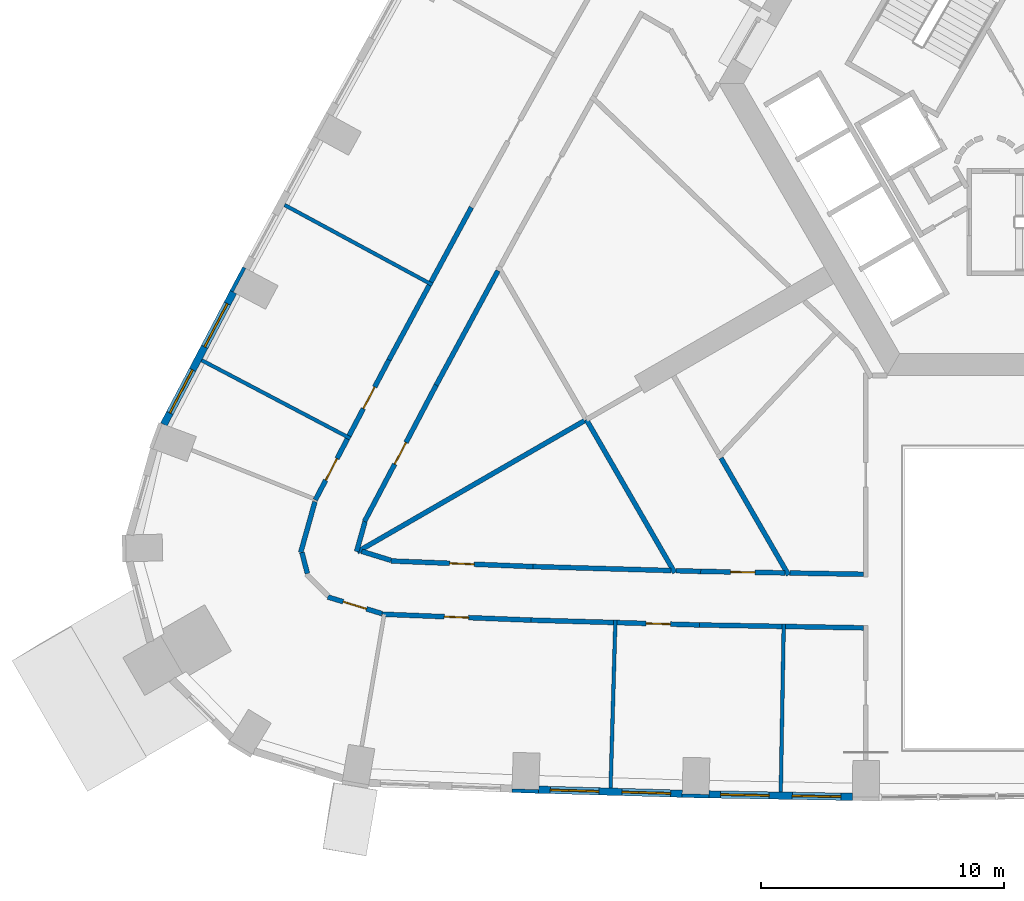
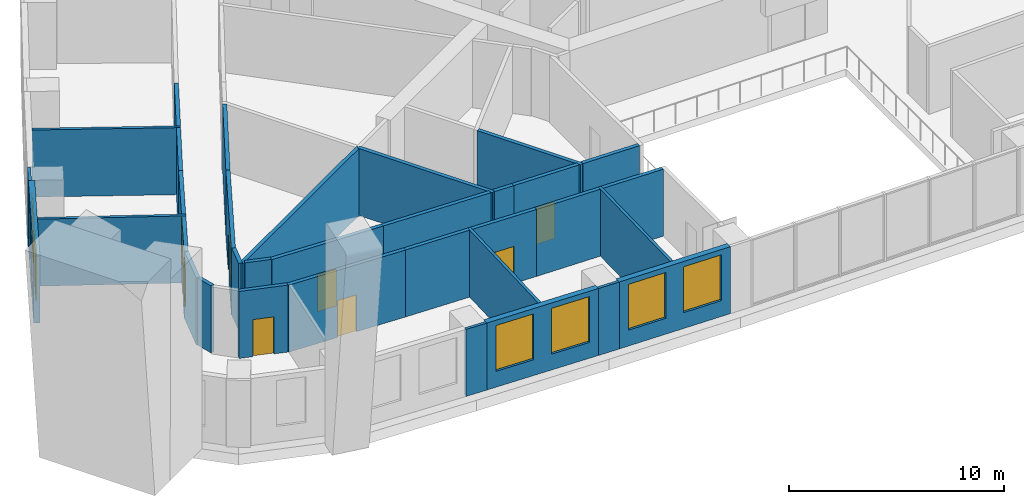
# One storey, part 4 of 15: 34 walls, 8 doors, 6 windows, 14 openings.
"""IFC4 building model written with IfcOpenShell, lengths in metres."""

from ifc_helpers import new_model, si_unit, direction, frame, frame_2d, origin, place, context, subcontext, project, spatial, rectangle, extrude, material, layer, layer_set, type_object, element, fill, save


model = new_model("IFC4")

# Units and contexts
model_context = context("Model", 3, precision=1e-05, world=origin(), true_north=direction((0.0, 1.0)))
body_context = subcontext(model_context, "Body", "Model", "MODEL_VIEW")
ifc_project = project(units=[si_unit("LENGTHUNIT", "METRE"), si_unit("AREAUNIT", "SQUARE_METRE"), si_unit("VOLUMEUNIT", "CUBIC_METRE"), si_unit("PLANEANGLEUNIT", "RADIAN"), si_unit("MASSUNIT", "GRAM", prefix="KILO")], contexts=[model_context])

# Site, building, storey
site_placement = place(None, origin())
site = spatial("IfcSite", under=ifc_project, at=site_placement, CompositionType="ELEMENT")
building_placement = place(site_placement, origin())
building = spatial("IfcBuilding", under=site, at=building_placement, Name="Entoto Arch Interchange Tower", CompositionType="ELEMENT")
storey_placement = place(building_placement, frame((0.0, 0.0, 99.199951171875)))
storey = spatial("IfcBuildingStorey", under=building, at=storey_placement, Name="L21", CompositionType="ELEMENT", Elevation=99.199951171875)

# Walls
ifc_material_1 = material(Name="Gypsum board partition on steel studs", Category="steel")
ifc_layer_1 = layer(ifc_material_1, 0.14990234375)
ifc_layer_set_1 = layer_set([ifc_layer_1], Name="Gypsum board partition on steel studs")
wall_type_1 = type_object("IfcWallType", Name="PARTITION 150", PredefinedType="PARTITIONING", material=ifc_layer_set_1)
wall_1_placement = place(storey_placement, frame((-25.60595703125, -5.77490234375, 0.0), z_axis=(0.0, 0.0, 1.0), x_axis=(-0.87974530848, 0.475445256793, 0.0)))
element("IfcWall", 1, at=wall_1_placement, inside=storey, type_object=wall_type_1, Name="wall:L21:p150", PredefinedType="PARTITIONING", context=body_context, shape_type="SweptSolid", body=[
    extrude(rectangle(XDim=6.90087890625, YDim=0.14990234375, at=frame_2d((3.450439453125, 0.0))), origin(), (0.0, 0.0, 1.0), 3.800048828125),
])
wall_2_placement = place(storey_placement, frame((-28.968994140625, -12.083984375, 0.0), z_axis=(0.0, 0.0, 1.0), x_axis=(-0.885142220222, 0.465320588391, 0.0)))
element("IfcWall", 2, at=wall_2_placement, inside=storey, type_object=wall_type_1, Name="wall:L21:p151", PredefinedType="PARTITIONING", context=body_context, shape_type="SweptSolid", body=[
    extrude(rectangle(XDim=6.900390625, YDim=0.14990234375, at=frame_2d((3.4501953125, 0.0))), origin(), (0.0, 0.0, 1.0), 3.800048828125),
])
wall_3_placement = place(storey_placement, frame((-18.0849609375, -19.544921875, 0.0), z_axis=(0.0, 0.0, 1.0), x_axis=(-0.02869106823, -0.999588326564, 0.0)))
element("IfcWall", 3, at=wall_3_placement, inside=storey, type_object=wall_type_1, Name="wall:L21:p154", PredefinedType="PARTITIONING", context=body_context, shape_type="SweptSolid", body=[
    extrude(rectangle(XDim=6.901123046875, YDim=0.14990234375, at=frame_2d((3.45068359375, 0.0))), origin(), (0.0, 0.0, 1.0), 3.800048828125),
])
wall_4_placement = place(storey_placement, frame((-11.1708984375, -19.7060546875, 0.0), z_axis=(0.0, 0.0, 1.0), x_axis=(-0.017691335128, -0.999843496084, 0.0)))
element("IfcWall", 4, at=wall_4_placement, inside=storey, type_object=wall_type_1, Name="wall:L21:p155", PredefinedType="PARTITIONING", context=body_context, shape_type="SweptSolid", body=[
    extrude(rectangle(XDim=6.89990234375, YDim=0.14990234375, at=frame_2d((3.449951171875, 0.0))), origin(), (0.0, 0.0, 1.0), 3.800048828125),
])
ifc_layer_2 = layer(ifc_material_1, 0.199951171875)
ifc_layer_set_2 = layer_set([ifc_layer_2], Name="Gypsum board partition on steel studs")
wall_type_2 = type_object("IfcWallType", Name="PARTITION 200", PredefinedType="PARTITIONING", material=ifc_layer_set_2)
wall_5_placement = place(storey_placement, frame((-10.923095703125, -17.610107421875, 0.0), z_axis=(0.0, 0.0, 1.0), x_axis=(0.999846489632, -0.017521334753, 0.0)))
element("IfcWall", 5, at=wall_5_placement, inside=storey, type_object=wall_type_2, Name="wall:L21:p032", PredefinedType="PARTITIONING", context=body_context, shape_type="SweptSolid", body=[
    extrude(rectangle(XDim=3.023681640625, YDim=0.199951171875, at=frame_2d((1.51171875, 0.0))), origin(), (0.0, 0.0, 1.0), 3.800048828125),
])
wall_6_placement = place(storey_placement, frame((-15.595947265625, -17.51611328125, 0.0), z_axis=(0.0, 0.0, 1.0), x_axis=(0.99959813819, -0.028347171427, 0.0)))
element("IfcWall", 6, at=wall_6_placement, inside=storey, type_object=wall_type_2, Name="wall:L21:p035", PredefinedType="PARTITIONING", context=body_context, shape_type="SweptSolid", body=[
    extrude(rectangle(XDim=1.016357421875, YDim=0.199951171875, at=frame_2d((0.50830078125, 0.0))), origin(), (0.0, 0.0, 1.0), 3.800048828125),
])

# Wall, opening, door
wall_7_placement = place(storey_placement, frame((-14.580078125, -17.544921875, 0.0), z_axis=(0.0, 0.0, 1.0), x_axis=(0.999844180431, -0.01765261618, 0.0)))
wall_7 = element("IfcWall", 7, at=wall_7_placement, inside=storey, type_object=wall_type_2, Name="wall:L21:p036", PredefinedType="PARTITIONING", context=body_context, shape_type="SweptSolid", body=[
    extrude(rectangle(XDim=3.45751953125, YDim=0.199951171875, at=frame_2d((1.728759765625, 0.0))), origin(), (0.0, 0.0, 1.0), 3.800048828125),
])
opening_1_placement = place(wall_7_placement, frame((1.22900390625, 0.0, 0.0)))
opening_1 = element("IfcOpeningElement", 8, at=opening_1_placement, cuts=wall_7, Name="Opening L21-D29", PredefinedType="OPENING", context=body_context, shape_type="SweptSolid", body=[
    extrude(rectangle(XDim=1.0, YDim=2.10009765625, at=frame_2d((0.5, 1.050048828125))), frame((0.0, 0.10986328125, 0.0), z_axis=(0.0, -1.0, 0.0), x_axis=(1.0, 0.0, 0.0)), (0.0, 0.0, 1.0), 0.219970703125),
])
ifc_material_2 = material(Name="Timber door leaf in Steel S235 frame", Category="steel")
door_type = type_object("IfcDoorType", Name="DOOR DS-10 1000x2100", OperationType="SINGLE_SWING_LEFT", PredefinedType="DOOR", material=ifc_material_2)
door_1_placement = place(opening_1_placement, origin())
door_1 = element("IfcDoor", 9, at=door_1_placement, inside=storey, type_object=door_type, Name="door:L21:29", OperationType="SINGLE_SWING_LEFT", OverallHeight=2.10009765625, OverallWidth=1.0, PredefinedType="DOOR", context=body_context, shape_type="SweptSolid", body=[
    extrude(rectangle(XDim=1.0, YDim=2.10009765625, at=frame_2d((0.5, 1.050048828125))), frame((0.0, 0.02490234375, 0.0), z_axis=(0.0, -1.0, 0.0), x_axis=(1.0, 0.0, 0.0)), (0.0, 0.0, 1.0), 0.050048828125),
])
fill(opening_1, door_1)

# Wall
wall_8_placement = place(storey_placement, frame((-22.906005859375, -5.196044921875, 0.0), z_axis=(0.0, 0.0, 1.0), x_axis=(-0.475448213767, -0.879743710421, 0.0)))
element("IfcWall", 10, at=wall_8_placement, inside=storey, type_object=wall_type_2, Name="wall:L21:p037", PredefinedType="PARTITIONING", context=body_context, shape_type="SweptSolid", body=[
    extrude(rectangle(XDim=5.342529296875, YDim=0.199951171875, at=frame_2d((2.67138671875, 0.0))), origin(), (0.0, 0.0, 1.0), 3.800048828125),
])

# Wall, opening, door
wall_9_placement = place(storey_placement, frame((-25.446044921875, -9.89599609375, 0.0), z_axis=(0.0, 0.0, 1.0), x_axis=(-0.465367816287, -0.885117390838, 0.0)))
wall_9 = element("IfcWall", 11, at=wall_9_placement, inside=storey, type_object=wall_type_2, Name="wall:L21:p038", PredefinedType="PARTITIONING", context=body_context, shape_type="SweptSolid", body=[
    extrude(rectangle(XDim=6.325927734375, YDim=0.199951171875, at=frame_2d((3.1630859375, 0.0))), origin(), (0.0, 0.0, 1.0), 3.800048828125),
])
opening_2_placement = place(wall_9_placement, frame((2.6630859375, 0.0, 0.0)))
opening_2 = element("IfcOpeningElement", 12, at=opening_2_placement, cuts=wall_9, Name="Opening L21-D30", PredefinedType="OPENING", context=body_context, shape_type="SweptSolid", body=[
    extrude(rectangle(XDim=1.0, YDim=2.10009765625, at=frame_2d((0.5, 1.050048828125))), frame((0.0, 0.10986328125, 0.0), z_axis=(0.0, -1.0, 0.0), x_axis=(1.0, 0.0, 0.0)), (0.0, 0.0, 1.0), 0.219970703125),
])
door_2_placement = place(opening_2_placement, origin())
door_2 = element("IfcDoor", 13, at=door_2_placement, inside=storey, type_object=door_type, Name="door:L21:30", OperationType="SINGLE_SWING_LEFT", OverallHeight=2.10009765625, OverallWidth=1.0, PredefinedType="DOOR", context=body_context, shape_type="SweptSolid", body=[
    extrude(rectangle(XDim=1.0, YDim=2.10009765625, at=frame_2d((0.5, 1.050048828125))), frame((0.0, 0.02490234375, 0.0), z_axis=(0.0, -1.0, 0.0), x_axis=(1.0, 0.0, 0.0)), (0.0, 0.0, 1.0), 0.050048828125),
])
fill(opening_2, door_2)

# Walls
wall_10_placement = place(storey_placement, frame((-28.3701171875, -15.5029296875, 0.0), z_axis=(0.0, 0.0, 1.0), x_axis=(-0.270645732093, -0.962679015924, 0.0)))
element("IfcWall", 14, at=wall_10_placement, inside=storey, type_object=wall_type_2, Name="wall:L21:p039", PredefinedType="PARTITIONING", context=body_context, shape_type="SweptSolid", body=[
    extrude(rectangle(XDim=1.274658203125, YDim=0.199951171875, at=frame_2d((0.63720703125, 0.0))), origin(), (0.0, 0.0, 1.0), 3.800048828125),
])
wall_11_placement = place(storey_placement, frame((-28.5029296875, -16.721923828125, 0.0), z_axis=(0.0, 0.0, 1.0), x_axis=(0.95579582576, -0.294031187904, 0.0)))
element("IfcWall", 15, at=wall_11_placement, inside=storey, type_object=wall_type_2, Name="wall:L21:p040", PredefinedType="PARTITIONING", context=body_context, shape_type="SweptSolid", body=[
    extrude(rectangle(XDim=1.25537109375, YDim=0.199951171875, at=frame_2d((0.627685546875, 0.0))), origin(), (0.0, 0.0, 1.0), 3.800048828125),
])

# Wall, opening, door
wall_12_placement = place(storey_placement, frame((-27.306884765625, -17.115966796875, 0.0), z_axis=(0.0, 0.0, 1.0), x_axis=(0.999217829656, -0.039544012168, 0.0)))
wall_12 = element("IfcWall", 16, at=wall_12_placement, inside=storey, type_object=wall_type_2, Name="wall:L21:p041", PredefinedType="PARTITIONING", context=body_context, shape_type="SweptSolid", body=[
    extrude(rectangle(XDim=5.840576171875, YDim=0.199951171875, at=frame_2d((2.92041015625, 0.0))), origin(), (0.0, 0.0, 1.0), 3.800048828125),
])
opening_3_placement = place(wall_12_placement, frame((2.419921875, 0.0, 0.0)))
opening_3 = element("IfcOpeningElement", 17, at=opening_3_placement, cuts=wall_12, Name="Opening L21-D31", PredefinedType="OPENING", context=body_context, shape_type="SweptSolid", body=[
    extrude(rectangle(XDim=1.0, YDim=2.10009765625, at=frame_2d((0.5, 1.050048828125))), frame((0.0, 0.10986328125, 0.0), z_axis=(0.0, -1.0, 0.0), x_axis=(1.0, 0.0, 0.0)), (0.0, 0.0, 1.0), 0.219970703125),
])
door_3_placement = place(opening_3_placement, origin())
door_3 = element("IfcDoor", 18, at=door_3_placement, inside=storey, type_object=door_type, Name="door:L21:31", OperationType="SINGLE_SWING_LEFT", OverallHeight=2.10009765625, OverallWidth=1.0, PredefinedType="DOOR", context=body_context, shape_type="SweptSolid", body=[
    extrude(rectangle(XDim=1.0, YDim=2.10009765625, at=frame_2d((0.5, 1.050048828125))), frame((0.0, 0.02490234375, 0.0), z_axis=(0.0, -1.0, 0.0), x_axis=(1.0, 0.0, 0.0)), (0.0, 0.0, 1.0), 0.050048828125),
])
fill(opening_3, door_3)

# Walls
wall_13_placement = place(storey_placement, frame((-21.470947265625, -17.346923828125, 0.0), z_axis=(0.0, 0.0, 1.0), x_axis=(0.999587337564, -0.028725504044, 0.0)))
element("IfcWall", 19, at=wall_13_placement, inside=storey, type_object=wall_type_2, Name="wall:L21:p042", PredefinedType="PARTITIONING", context=body_context, shape_type="SweptSolid", body=[
    extrude(rectangle(XDim=5.677490234375, YDim=0.199951171875, at=frame_2d((2.8388671875, 0.0))), origin(), (0.0, 0.0, 1.0), 3.800048828125),
])
wall_14_placement = place(storey_placement, frame((-25.657958984375, -5.660888671875, 0.0), z_axis=(0.0, 0.0, 1.0), x_axis=(0.47543942367, 0.87974846088, 0.0)))
element("IfcWall", 20, at=wall_14_placement, inside=storey, type_object=wall_type_2, Name="wall:L21:p070", PredefinedType="PARTITIONING", context=body_context, shape_type="SweptSolid", body=[
    extrude(rectangle(XDim=3.4873046875, YDim=0.199951171875, at=frame_2d((1.74365234375, 0.0))), origin(), (0.0, 0.0, 1.0), 3.800048828125),
])

# Wall, opening, door
wall_15_placement = place(storey_placement, frame((-29.02294921875, -11.971923828125, 0.0), z_axis=(0.0, 0.0, 1.0), x_axis=(0.465457263931, 0.885070356217, 0.0)))
wall_15 = element("IfcWall", 21, at=wall_15_placement, inside=storey, type_object=wall_type_2, Name="wall:L21:p072", PredefinedType="PARTITIONING", context=body_context, shape_type="SweptSolid", body=[
    extrude(rectangle(XDim=3.514892578125, YDim=0.199951171875, at=frame_2d((1.75732421875, 0.0))), origin(), (0.0, 0.0, 1.0), 3.800048828125),
])
opening_4_placement = place(wall_15_placement, frame((1.257080078125, 0.0, 0.0)))
opening_4 = element("IfcOpeningElement", 22, at=opening_4_placement, cuts=wall_15, Name="Opening L21-D15", PredefinedType="OPENING", context=body_context, shape_type="SweptSolid", body=[
    extrude(rectangle(XDim=1.0, YDim=2.10009765625, at=frame_2d((0.5, 1.050048828125))), frame((0.0, 0.10986328125, 0.0), z_axis=(0.0, -1.0, 0.0), x_axis=(1.0, 0.0, 0.0)), (0.0, 0.0, 1.0), 0.219970703125),
])
door_4_placement = place(opening_4_placement, origin())
door_4 = element("IfcDoor", 23, at=door_4_placement, inside=storey, type_object=door_type, Name="door:L21:15", OperationType="SINGLE_SWING_RIGHT", OverallHeight=2.10009765625, OverallWidth=1.0, PredefinedType="DOOR", context=body_context, shape_type="SweptSolid", body=[
    extrude(rectangle(XDim=1.0, YDim=2.10009765625, at=frame_2d((0.5, 1.050048828125))), frame((0.0, 0.02490234375, 0.0), z_axis=(0.0, -1.0, 0.0), x_axis=(1.0, 0.0, 0.0)), (0.0, 0.0, 1.0), 0.050048828125),
])
fill(opening_4, door_4)

# Wall
wall_16_placement = place(storey_placement, frame((-27.386962890625, -8.861083984375, 0.0), z_axis=(0.0, 0.0, 1.0), x_axis=(0.475193364801, 0.879881393171, 0.0)))
element("IfcWall", 24, at=wall_16_placement, inside=storey, type_object=wall_type_2, Name="wall:L21:p073", PredefinedType="PARTITIONING", context=body_context, shape_type="SweptSolid", body=[
    extrude(rectangle(XDim=3.487060546875, YDim=0.199951171875, at=frame_2d((1.74365234375, 0.0))), origin(), (0.0, 0.0, 1.0), 3.800048828125),
])

# Wall, opening, door
wall_17_placement = place(storey_placement, frame((-30.409912109375, -14.610107421875, 0.0), z_axis=(0.0, 0.0, 1.0), x_axis=(0.46516343569, 0.885224817827, 0.0)))
wall_17 = element("IfcWall", 25, at=wall_17_placement, inside=storey, type_object=wall_type_2, Name="wall:L21:p074", PredefinedType="PARTITIONING", context=body_context, shape_type="SweptSolid", body=[
    extrude(rectangle(XDim=2.8310546875, YDim=0.199951171875, at=frame_2d((1.41552734375, 0.0))), origin(), (0.0, 0.0, 1.0), 3.800048828125),
])
opening_5_placement = place(wall_17_placement, frame((0.916015625, 0.0, 0.0)))
opening_5 = element("IfcOpeningElement", 26, at=opening_5_placement, cuts=wall_17, Name="Opening L21-D16", PredefinedType="OPENING", context=body_context, shape_type="SweptSolid", body=[
    extrude(rectangle(XDim=1.0, YDim=2.10009765625, at=frame_2d((0.5, 1.050048828125))), frame((0.0, 0.10986328125, 0.0), z_axis=(0.0, -1.0, 0.0), x_axis=(1.0, 0.0, 0.0)), (0.0, 0.0, 1.0), 0.219970703125),
])
door_5_placement = place(opening_5_placement, origin())
door_5 = element("IfcDoor", 27, at=door_5_placement, inside=storey, type_object=door_type, Name="door:L21:16", OperationType="SINGLE_SWING_LEFT", OverallHeight=2.10009765625, OverallWidth=1.0, PredefinedType="DOOR", context=body_context, shape_type="SweptSolid", body=[
    extrude(rectangle(XDim=1.0, YDim=2.10009765625, at=frame_2d((0.5, 1.050048828125))), frame((0.0, 0.02490234375, 0.0), z_axis=(0.0, -1.0, 0.0), x_axis=(1.0, 0.0, 0.0)), (0.0, 0.0, 1.0), 0.050048828125),
])
fill(opening_5, door_5)

wall_18_placement = place(storey_placement, frame((-27.676025390625, -19.278076171875, 0.0), z_axis=(0.0, 0.0, 1.0), x_axis=(-0.95581080774, 0.293982482143, 0.0)))
wall_18 = element("IfcWall", 28, at=wall_18_placement, inside=storey, type_object=wall_type_2, Name="wall:L21:p075", PredefinedType="PARTITIONING", context=body_context, shape_type="SweptSolid", body=[
    extrude(rectangle(XDim=2.32373046875, YDim=0.199951171875, at=frame_2d((1.161865234375, 0.0))), origin(), (0.0, 0.0, 1.0), 3.800048828125),
])
opening_6_placement = place(wall_18_placement, frame((0.662109375, 0.0, 0.0)))
opening_6 = element("IfcOpeningElement", 29, at=opening_6_placement, cuts=wall_18, Name="Opening L21-D17", PredefinedType="OPENING", context=body_context, shape_type="SweptSolid", body=[
    extrude(rectangle(XDim=1.0, YDim=2.10009765625, at=frame_2d((0.5, 1.050048828125))), frame((0.0, 0.10986328125, 0.0), z_axis=(0.0, -1.0, 0.0), x_axis=(1.0, 0.0, 0.0)), (0.0, 0.0, 1.0), 0.219970703125),
])
door_6_placement = place(opening_6_placement, origin())
door_6 = element("IfcDoor", 30, at=door_6_placement, inside=storey, type_object=door_type, Name="door:L21:17", OperationType="SINGLE_SWING_LEFT", OverallHeight=2.10009765625, OverallWidth=1.0, PredefinedType="DOOR", context=body_context, shape_type="SweptSolid", body=[
    extrude(rectangle(XDim=1.0, YDim=2.10009765625, at=frame_2d((0.5, 1.050048828125))), frame((0.0, 0.02490234375, 0.0), z_axis=(0.0, -1.0, 0.0), x_axis=(1.0, 0.0, 0.0)), (0.0, 0.0, 1.0), 0.050048828125),
])
fill(opening_6, door_6)

# Walls
wall_19_placement = place(storey_placement, frame((-30.735107421875, -17.634033203125, 0.0), z_axis=(0.0, 0.0, 1.0), x_axis=(-0.251095196118, 0.967962397248, 0.0)))
element("IfcWall", 31, at=wall_19_placement, inside=storey, type_object=wall_type_2, Name="wall:L21:p077", PredefinedType="PARTITIONING", context=body_context, shape_type="SweptSolid", body=[
    extrude(rectangle(XDim=0.8916015625, YDim=0.199951171875, at=frame_2d((0.44580078125, 0.0))), origin(), (0.0, 0.0, 1.0), 3.800048828125),
])
wall_20_placement = place(storey_placement, frame((-31.010986328125, -16.77001953125, 0.0), z_axis=(0.0, 0.0, 1.0), x_axis=(0.270131711391, 0.962823378664, 0.0)))
element("IfcWall", 32, at=wall_20_placement, inside=storey, type_object=wall_type_2, Name="wall:L21:p078", PredefinedType="PARTITIONING", context=body_context, shape_type="SweptSolid", body=[
    extrude(rectangle(XDim=2.16552734375, YDim=0.199951171875, at=frame_2d((1.082763671875, 0.0))), origin(), (0.0, 0.0, 1.0), 3.800048828125),
])
wall_21_placement = place(storey_placement, frame((-18.1630859375, -19.64306640625, 0.0), z_axis=(0.0, 0.0, 1.0), x_axis=(-0.999588017684, 0.028701827504, 0.0)))
element("IfcWall", 33, at=wall_21_placement, inside=storey, type_object=wall_type_2, Name="wall:L21:p079", PredefinedType="PARTITIONING", context=body_context, shape_type="SweptSolid", body=[
    extrude(rectangle(XDim=3.385498046875, YDim=0.199951171875, at=frame_2d((1.69287109375, 0.0))), origin(), (0.0, 0.0, 1.0), 3.800048828125),
])

# Wall, opening, door
wall_22_placement = place(storey_placement, frame((-21.547119140625, -19.5458984375, 0.0), z_axis=(0.0, 0.0, 1.0), x_axis=(-0.999216450883, 0.039578836331, 0.0)))
wall_22 = element("IfcWall", 34, at=wall_22_placement, inside=storey, type_object=wall_type_2, Name="wall:L21:p080", PredefinedType="PARTITIONING", context=body_context, shape_type="SweptSolid", body=[
    extrude(rectangle(XDim=6.1376953125, YDim=0.199951171875, at=frame_2d((3.06884765625, 0.0))), origin(), (0.0, 0.0, 1.0), 3.800048828125),
])
opening_7_placement = place(wall_22_placement, frame((2.569091796875, 0.0, 0.0)))
opening_7 = element("IfcOpeningElement", 35, at=opening_7_placement, cuts=wall_22, Name="Opening L21-D18", PredefinedType="OPENING", context=body_context, shape_type="SweptSolid", body=[
    extrude(rectangle(XDim=1.0, YDim=2.10009765625, at=frame_2d((0.5, 1.050048828125))), frame((0.0, 0.10986328125, 0.0), z_axis=(0.0, -1.0, 0.0), x_axis=(1.0, 0.0, 0.0)), (0.0, 0.0, 1.0), 0.219970703125),
])
door_7_placement = place(opening_7_placement, origin())
door_7 = element("IfcDoor", 36, at=door_7_placement, inside=storey, type_object=door_type, Name="door:L21:18", OperationType="SINGLE_SWING_LEFT", OverallHeight=2.10009765625, OverallWidth=1.0, PredefinedType="DOOR", context=body_context, shape_type="SweptSolid", body=[
    extrude(rectangle(XDim=1.0, YDim=2.10009765625, at=frame_2d((0.5, 1.050048828125))), frame((0.0, 0.02490234375, 0.0), z_axis=(0.0, -1.0, 0.0), x_axis=(1.0, 0.0, 0.0)), (0.0, 0.0, 1.0), 0.050048828125),
])
fill(opening_7, door_7)

# Wall
wall_23_placement = place(storey_placement, frame((-11.248046875, -19.803955078125, 0.0), z_axis=(0.0, 0.0, 1.0), x_axis=(-0.999848794654, 0.017389302123, 0.0)))
element("IfcWall", 37, at=wall_23_placement, inside=storey, type_object=wall_type_2, Name="wall:L21:p081", PredefinedType="PARTITIONING", context=body_context, shape_type="SweptSolid", body=[
    extrude(rectangle(XDim=3.383544921875, YDim=0.199951171875, at=frame_2d((1.69189453125, 0.0))), origin(), (0.0, 0.0, 1.0), 3.800048828125),
])

# Wall, opening, door
wall_24_placement = place(storey_placement, frame((-14.631103515625, -19.7451171875, 0.0), z_axis=(0.0, 0.0, 1.0), x_axis=(-0.999587482491, 0.028720460441, 0.0)))
wall_24 = element("IfcWall", 38, at=wall_24_placement, inside=storey, type_object=wall_type_2, Name="wall:L21:p082", PredefinedType="PARTITIONING", context=body_context, shape_type="SweptSolid", body=[
    extrude(rectangle(XDim=3.38330078125, YDim=0.199951171875, at=frame_2d((1.691650390625, 0.0))), origin(), (0.0, 0.0, 1.0), 3.800048828125),
])
opening_8_placement = place(wall_24_placement, frame((1.19189453125, 0.0, 0.0)))
opening_8 = element("IfcOpeningElement", 39, at=opening_8_placement, cuts=wall_24, Name="Opening L21-D19", PredefinedType="OPENING", context=body_context, shape_type="SweptSolid", body=[
    extrude(rectangle(XDim=1.0, YDim=2.10009765625, at=frame_2d((0.5, 1.050048828125))), frame((0.0, 0.10986328125, 0.0), z_axis=(0.0, -1.0, 0.0), x_axis=(1.0, 0.0, 0.0)), (0.0, 0.0, 1.0), 0.219970703125),
])
door_8_placement = place(opening_8_placement, origin())
door_8 = element("IfcDoor", 40, at=door_8_placement, inside=storey, type_object=door_type, Name="door:L21:19", OperationType="SINGLE_SWING_RIGHT", OverallHeight=2.10009765625, OverallWidth=1.0, PredefinedType="DOOR", context=body_context, shape_type="SweptSolid", body=[
    extrude(rectangle(XDim=1.0, YDim=2.10009765625, at=frame_2d((0.5, 1.050048828125))), frame((0.0, 0.02490234375, 0.0), z_axis=(0.0, -1.0, 0.0), x_axis=(1.0, 0.0, 0.0)), (0.0, 0.0, 1.0), 0.050048828125),
])
fill(opening_8, door_8)

# Walls
wall_25_placement = place(storey_placement, frame((-7.89990234375, -19.863037109375, 0.0), z_axis=(0.0, 0.0, 1.0), x_axis=(-0.999845883554, 0.017555886191, 0.0)))
element("IfcWall", 41, at=wall_25_placement, inside=storey, type_object=wall_type_2, Name="wall:L21:p083", PredefinedType="PARTITIONING", context=body_context, shape_type="SweptSolid", body=[
    extrude(rectangle(XDim=3.198486328125, YDim=0.199951171875, at=frame_2d((1.59912109375, 0.0))), origin(), (0.0, 0.0, 1.0), 3.800048828125),
])
wall_26_placement = place(storey_placement, frame((-10.972900390625, -17.695068359375, 0.0), z_axis=(0.0, 0.0, 1.0), x_axis=(-0.499986535608, 0.866033177315, 0.0)))
element("IfcWall", 42, at=wall_26_placement, inside=storey, type_object=wall_type_2, Name="wall:L21:p131", PredefinedType="PARTITIONING", context=body_context, shape_type="SweptSolid", body=[
    extrude(rectangle(XDim=5.548583984375, YDim=0.199951171875, at=frame_2d((2.7744140625, 0.0))), origin(), (0.0, 0.0, 1.0), 3.800048828125),
])
wall_27_placement = place(storey_placement, frame((-15.64599609375, -17.60009765625, 0.0), z_axis=(0.0, 0.0, 1.0), x_axis=(-0.499953299825, 0.866052364464, 0.0)))
element("IfcWall", 43, at=wall_27_placement, inside=storey, type_object=wall_type_2, Name="wall:L21:p135", PredefinedType="PARTITIONING", context=body_context, shape_type="SweptSolid", body=[
    extrude(rectangle(XDim=7.262939453125, YDim=0.199951171875, at=frame_2d((3.63134765625, 0.0))), origin(), (0.0, 0.0, 1.0), 3.800048828125),
])
wall_28_placement = place(storey_placement, frame((-19.277099609375, -11.31103515625, 0.0), z_axis=(0.0, 0.0, 1.0), x_axis=(-0.866078939042, -0.499907262747, 0.0)))
element("IfcWall", 44, at=wall_28_placement, inside=storey, type_object=wall_type_2, Name="wall:L21:p136", PredefinedType="PARTITIONING", context=body_context, shape_type="SweptSolid", body=[
    extrude(rectangle(XDim=10.86376953125, YDim=0.199951171875, at=frame_2d((5.431884765625, 0.0))), origin(), (0.0, 0.0, 1.0), 3.800048828125),
])

# Wall, openings, windows
ifc_material_3 = material(Name="Welded tuff (ignimbrite) cladding, warm buff", Category="masonry")
ifc_layer_3 = layer(ifc_material_3, 0.300048828125)
ifc_layer_set_3 = layer_set([ifc_layer_3], Name="Welded tuff (ignimbrite) cladding, warm buff")
wall_type_3 = type_object("IfcWallType", Name="STONE INFILL WALL 300", PredefinedType="STANDARD", material=ifc_layer_set_3)
wall_29_placement = place(storey_placement, frame((-21.235107421875, -26.508056640625, 0.0), z_axis=(0.0, 0.0, 1.0), x_axis=(0.999589583914, -0.028647229026, 0.0)))
wall_29 = element("IfcWall", 45, at=wall_29_placement, inside=storey, type_object=wall_type_3, Name="Facade wall S-02 L21", PredefinedType="STANDARD", context=body_context, shape_type="SweptSolid", body=[
    extrude(rectangle(XDim=5.8974609375, YDim=0.300048828125, at=frame_2d((2.94873046875, 0.0))), origin(), (0.0, 0.0, 1.0), 3.800048828125),
])
opening_9_placement = place(wall_29_placement, frame((0.47412109375, 0.0, 0.89990234375)))
opening_9 = element("IfcOpeningElement", 46, at=opening_9_placement, cuts=wall_29, Name="Opening WO-C", PredefinedType="OPENING", context=body_context, shape_type="SweptSolid", body=[
    extrude(rectangle(XDim=2.0, YDim=2.60009765625, at=frame_2d((1.0, 1.300048828125))), frame((0.0, 0.16015625, 0.0), z_axis=(0.0, -1.0, 0.0), x_axis=(1.0, 0.0, 0.0)), (0.0, 0.0, 1.0), 0.320068359375),
])
opening_10_placement = place(wall_29_placement, frame((3.423095703125, 0.0, 0.89990234375)))
opening_10 = element("IfcOpeningElement", 47, at=opening_10_placement, cuts=wall_29, Name="Opening WO-C", PredefinedType="OPENING", context=body_context, shape_type="SweptSolid", body=[
    extrude(rectangle(XDim=2.0, YDim=2.60009765625, at=frame_2d((1.0, 1.300048828125))), frame((0.0, 0.16015625, 0.0), z_axis=(0.0, -1.0, 0.0), x_axis=(1.0, 0.0, 0.0)), (0.0, 0.0, 1.0), 0.320068359375),
])
ifc_material_4 = material(Name="Clear glass, low-e double glazed", Category="glass")
window_type = type_object("IfcWindowType", Name="WINDOW WO-C 2000x2600", PartitioningType="DOUBLE_PANEL_VERTICAL", PredefinedType="WINDOW", material=ifc_material_4)
window_1_placement = place(opening_9_placement, origin())
window_1 = element("IfcWindow", 48, at=window_1_placement, inside=storey, type_object=window_type, Name="Window WO-C S-02 L21", OverallHeight=2.60009765625, OverallWidth=2.0, PartitioningType="SINGLE_PANEL", PredefinedType="WINDOW", context=body_context, shape_type="SweptSolid", body=[
    extrude(rectangle(XDim=2.0, YDim=2.60009765625, at=frame_2d((1.0, 1.300048828125))), frame((0.0, 0.030029296875, 0.0), z_axis=(0.0, -1.0, 0.0), x_axis=(1.0, 0.0, 0.0)), (0.0, 0.0, 1.0), 0.06005859375),
])
fill(opening_9, window_1)
window_2_placement = place(opening_10_placement, origin())
window_2 = element("IfcWindow", 49, at=window_2_placement, inside=storey, type_object=window_type, Name="Window WO-C S-02 L21", OverallHeight=2.60009765625, OverallWidth=2.0, PartitioningType="SINGLE_PANEL", PredefinedType="WINDOW", context=body_context, shape_type="SweptSolid", body=[
    extrude(rectangle(XDim=2.0, YDim=2.60009765625, at=frame_2d((1.0, 1.300048828125))), frame((0.0, 0.030029296875, 0.0), z_axis=(0.0, -1.0, 0.0), x_axis=(1.0, 0.0, 0.0)), (0.0, 0.0, 1.0), 0.06005859375),
])
fill(opening_10, window_2)

wall_30_placement = place(storey_placement, frame((-14.241943359375, -26.702880859375, 0.0), z_axis=(0.0, 0.0, 1.0), x_axis=(0.999847261365, -0.017477240672, 0.0)))
wall_30 = element("IfcWall", 50, at=wall_30_placement, inside=storey, type_object=wall_type_3, Name="Facade wall S-03 L21", PredefinedType="STANDARD", context=body_context, shape_type="SweptSolid", body=[
    extrude(rectangle(XDim=5.89501953125, YDim=0.300048828125, at=frame_2d((2.947509765625, 0.0))), origin(), (0.0, 0.0, 1.0), 3.800048828125),
])
opening_11_placement = place(wall_30_placement, frame((0.47412109375, 0.0, 0.89990234375)))
opening_11 = element("IfcOpeningElement", 51, at=opening_11_placement, cuts=wall_30, Name="Opening WO-C", PredefinedType="OPENING", context=body_context, shape_type="SweptSolid", body=[
    extrude(rectangle(XDim=2.0, YDim=2.60009765625, at=frame_2d((1.0, 1.300048828125))), frame((0.0, 0.16015625, 0.0), z_axis=(0.0, -1.0, 0.0), x_axis=(1.0, 0.0, 0.0)), (0.0, 0.0, 1.0), 0.320068359375),
])
opening_12_placement = place(wall_30_placement, frame((3.4208984375, 0.0, 0.89990234375)))
opening_12 = element("IfcOpeningElement", 52, at=opening_12_placement, cuts=wall_30, Name="Opening WO-C", PredefinedType="OPENING", context=body_context, shape_type="SweptSolid", body=[
    extrude(rectangle(XDim=2.0, YDim=2.60009765625, at=frame_2d((1.0, 1.300048828125))), frame((0.0, 0.16015625, 0.0), z_axis=(0.0, -1.0, 0.0), x_axis=(1.0, 0.0, 0.0)), (0.0, 0.0, 1.0), 0.320068359375),
])
window_3_placement = place(opening_11_placement, origin())
window_3 = element("IfcWindow", 53, at=window_3_placement, inside=storey, type_object=window_type, Name="Window WO-C S-03 L21", OverallHeight=2.60009765625, OverallWidth=2.0, PartitioningType="SINGLE_PANEL", PredefinedType="WINDOW", context=body_context, shape_type="SweptSolid", body=[
    extrude(rectangle(XDim=2.0, YDim=2.60009765625, at=frame_2d((1.0, 1.300048828125))), frame((0.0, 0.030029296875, 0.0), z_axis=(0.0, -1.0, 0.0), x_axis=(1.0, 0.0, 0.0)), (0.0, 0.0, 1.0), 0.06005859375),
])
fill(opening_11, window_3)
window_4_placement = place(opening_12_placement, origin())
window_4 = element("IfcWindow", 54, at=window_4_placement, inside=storey, type_object=window_type, Name="Window WO-C S-03 L21", OverallHeight=2.60009765625, OverallWidth=2.0, PartitioningType="SINGLE_PANEL", PredefinedType="WINDOW", context=body_context, shape_type="SweptSolid", body=[
    extrude(rectangle(XDim=2.0, YDim=2.60009765625, at=frame_2d((1.0, 1.300048828125))), frame((0.0, 0.030029296875, 0.0), z_axis=(0.0, -1.0, 0.0), x_axis=(1.0, 0.0, 0.0)), (0.0, 0.0, 1.0), 0.06005859375),
])
fill(opening_12, window_4)

wall_31_placement = place(storey_placement, frame((-33.77587890625, -6.076904296875, 0.0), z_axis=(0.0, 0.0, 1.0), x_axis=(-0.465380908665, -0.88511050714, 0.0)))
wall_31 = element("IfcWall", 55, at=wall_31_placement, inside=storey, type_object=wall_type_3, Name="Facade wall NW-08 L21", PredefinedType="STANDARD", context=body_context, shape_type="SweptSolid", body=[
    extrude(rectangle(XDim=6.139404296875, YDim=0.300048828125, at=frame_2d((3.06982421875, 0.0))), origin(), (0.0, 0.0, 1.0), 3.800048828125),
])
opening_13_placement = place(wall_31_placement, frame((0.534912109375, 0.0, 0.89990234375)))
opening_13 = element("IfcOpeningElement", 56, at=opening_13_placement, cuts=wall_31, Name="Opening WO-C", PredefinedType="OPENING", context=body_context, shape_type="SweptSolid", body=[
    extrude(rectangle(XDim=2.0, YDim=2.60009765625, at=frame_2d((1.0, 1.300048828125))), frame((0.0, 0.16015625, 0.0), z_axis=(0.0, -1.0, 0.0), x_axis=(1.0, 0.0, 0.0)), (0.0, 0.0, 1.0), 0.320068359375),
])
opening_14_placement = place(wall_31_placement, frame((3.60400390625, 0.0, 0.89990234375)))
opening_14 = element("IfcOpeningElement", 57, at=opening_14_placement, cuts=wall_31, Name="Opening WO-C", PredefinedType="OPENING", context=body_context, shape_type="SweptSolid", body=[
    extrude(rectangle(XDim=2.0, YDim=2.60009765625, at=frame_2d((1.0, 1.300048828125))), frame((0.0, 0.16015625, 0.0), z_axis=(0.0, -1.0, 0.0), x_axis=(1.0, 0.0, 0.0)), (0.0, 0.0, 1.0), 0.320068359375),
])
window_5_placement = place(opening_13_placement, origin())
window_5 = element("IfcWindow", 58, at=window_5_placement, inside=storey, type_object=window_type, Name="Window WO-C NW-08 L21", OverallHeight=2.60009765625, OverallWidth=2.0, PartitioningType="SINGLE_PANEL", PredefinedType="WINDOW", context=body_context, shape_type="SweptSolid", body=[
    extrude(rectangle(XDim=2.0, YDim=2.60009765625, at=frame_2d((1.0, 1.300048828125))), frame((0.0, 0.030029296875, 0.0), z_axis=(0.0, -1.0, 0.0), x_axis=(1.0, 0.0, 0.0)), (0.0, 0.0, 1.0), 0.06005859375),
])
fill(opening_13, window_5)
window_6_placement = place(opening_14_placement, origin())
window_6 = element("IfcWindow", 59, at=window_6_placement, inside=storey, type_object=window_type, Name="Window WO-C NW-08 L21", OverallHeight=2.60009765625, OverallWidth=2.0, PartitioningType="SINGLE_PANEL", PredefinedType="WINDOW", context=body_context, shape_type="SweptSolid", body=[
    extrude(rectangle(XDim=2.0, YDim=2.60009765625, at=frame_2d((1.0, 1.300048828125))), frame((0.0, 0.030029296875, 0.0), z_axis=(0.0, -1.0, 0.0), x_axis=(1.0, 0.0, 0.0)), (0.0, 0.0, 1.0), 0.06005859375),
])
fill(opening_14, window_6)

# Walls
ifc_layer_4 = layer(ifc_material_3, 0.14990234375)
ifc_layer_set_4 = layer_set([ifc_layer_4], Name="Welded tuff (ignimbrite) cladding, warm buff")
wall_type_4 = type_object("IfcWallType", Name="STONE PIER CLADDING 150", PredefinedType="STANDARD", material=ifc_layer_set_4)
wall_32_placement = place(storey_placement, frame((-33.3291015625, -5.071044921875, 0.0), z_axis=(0.0, 0.0, 1.0), x_axis=(-0.46919310775, -0.883095593716, 0.0)))
element("IfcWall", 60, at=wall_32_placement, inside=storey, type_object=wall_type_4, Name="Stone pier NW08 L21", PredefinedType="STANDARD", context=body_context, shape_type="SweptSolid", body=[
    extrude(rectangle(XDim=1.099365234375, YDim=0.14990234375, at=frame_2d((0.5498046875, 0.0))), origin(), (0.0, 0.0, 1.0), 3.800048828125),
])
wall_33_placement = place(storey_placement, frame((-22.3359375, -26.548095703125, 0.0), z_axis=(0.0, 0.0, 1.0), x_axis=(0.999376638472, -0.035303462679, 0.0)))
element("IfcWall", 61, at=wall_33_placement, inside=storey, type_object=wall_type_4, Name="Stone pier S02 L21", PredefinedType="STANDARD", context=body_context, shape_type="SweptSolid", body=[
    extrude(rectangle(XDim=1.099609375, YDim=0.14990234375, at=frame_2d((0.5498046875, 0.0))), origin(), (0.0, 0.0, 1.0), 3.800048828125),
])
wall_34_placement = place(storey_placement, frame((-15.343017578125, -26.7548828125, 0.0), z_axis=(0.0, 0.0, 1.0), x_axis=(0.999718180159, -0.023739424163, 0.0)))
element("IfcWall", 62, at=wall_34_placement, inside=storey, type_object=wall_type_4, Name="Stone pier S03 L21", PredefinedType="STANDARD", context=body_context, shape_type="SweptSolid", body=[
    extrude(rectangle(XDim=1.100341796875, YDim=0.14990234375, at=frame_2d((0.55029296875, 0.0))), origin(), (0.0, 0.0, 1.0), 3.800048828125),
])

save(model, "model.ifc")
